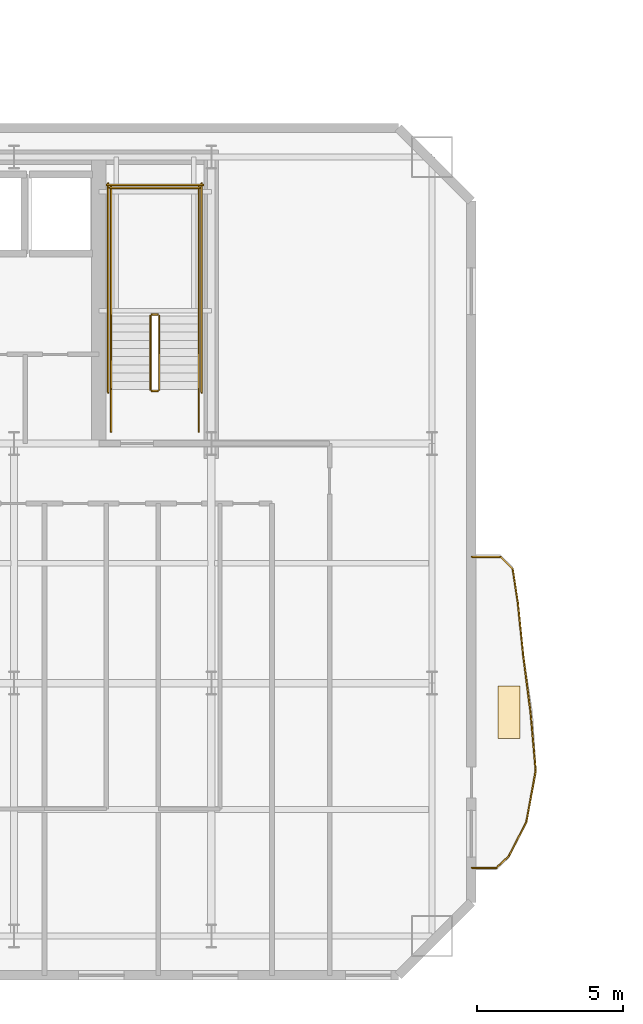
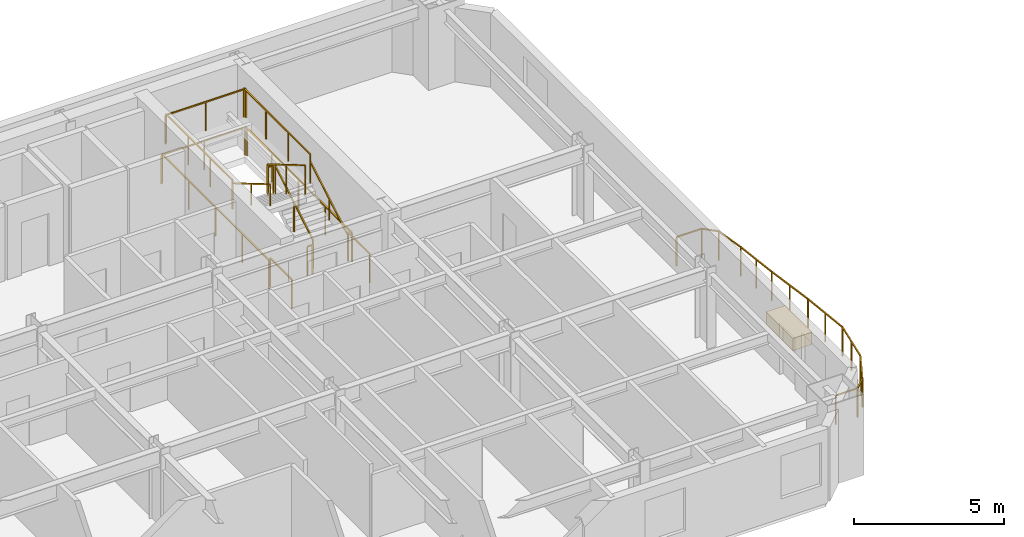
# One storey, part 12 of 14: 24 railings, 1 covering.
"""IFC4 building model written with IfcOpenShell, lengths in metres."""

from ifc_helpers import new_model, si_unit, direction, frame, origin, origin_2d, place, context, subcontext, project, spatial, rectangle, extrude, material, layer, layer_set, type_object, element, save


model = new_model("IFC4")

# Units and contexts
model_context = context("Model", 3, precision=1e-05, world=origin(), true_north=direction((0.0, 1.0)))
body_context = subcontext(model_context, "Body", "Model", "MODEL_VIEW")
ifc_project = project(units=[si_unit("LENGTHUNIT", "METRE"), si_unit("AREAUNIT", "SQUARE_METRE"), si_unit("VOLUMEUNIT", "CUBIC_METRE"), si_unit("PLANEANGLEUNIT", "RADIAN"), si_unit("MASSUNIT", "GRAM", prefix="KILO")], contexts=[model_context])

# Site, building, storey
site_placement = place(None, origin())
site = spatial("IfcSite", under=ifc_project, at=site_placement, CompositionType="ELEMENT")
building_placement = place(site_placement, origin())
building = spatial("IfcBuilding", under=site, at=building_placement, Name="Haevon Station Towers", CompositionType="ELEMENT")
storey_placement = place(building_placement, frame((0.0, 0.0, 119.699951171875)))
storey = spatial("IfcBuildingStorey", under=building, at=storey_placement, Name="L32", CompositionType="ELEMENT", Elevation=119.699951171875)

# Railings
ifc_material_1 = material(Name="Steel S355", Category="steel")
railing_type_1 = type_object("IfcRailingType", Name="GRD-EXT1200", PredefinedType="GUARDRAIL", material=ifc_material_1)
railing_1_placement = place(storey_placement, frame((59.923583984375, 23.677734375, 0.0)))
element("IfcRailing", 1, at=railing_1_placement, inside=storey, type_object=railing_type_1, Name="L32 Perimeter Guardrail 1", PredefinedType="GUARDRAIL", context=body_context, shape_type="SweptSolid", body=[
    extrude(rectangle(XDim=0.048095703125, YDim=0.048095703125, at=origin_2d()), frame((0.0, 0.0, 1.17578125), z_axis=(0.999997283225, 0.002330995998, 0.0), x_axis=(-0.002330995998, 0.999997283225, 0.0)), (0.0, 0.0, 1.0), 0.837890625),
    extrude(rectangle(XDim=0.0419921875, YDim=0.0419921875, at=origin_2d()), origin(), (0.0, 0.0, 1.0), 1.15185546875),
    extrude(rectangle(XDim=0.0419921875, YDim=0.0419921875, at=origin_2d()), frame((0.837890625, 0.001953125, 0.0)), (0.0, 0.0, 1.0), 1.15185546875),
])
railing_2_placement = place(storey_placement, frame((60.761474609375, 23.6796875, 0.0)))
element("IfcRailing", 2, at=railing_2_placement, inside=storey, type_object=railing_type_1, Name="L32 Perimeter Guardrail 2", PredefinedType="GUARDRAIL", context=body_context, shape_type="SweptSolid", body=[
    extrude(rectangle(XDim=0.048095703125, YDim=0.048095703125, at=origin_2d()), frame((0.0, 0.0, 1.17578125), z_axis=(0.721936917326, 0.691958876959, 0.0), x_axis=(-0.691958876959, 0.721936917326, 0.0)), (0.0, 0.0, 1.0), 0.594482421875),
    extrude(rectangle(XDim=0.0419921875, YDim=0.0419921875, at=origin_2d()), origin(), (0.0, 0.0, 1.0), 1.15185546875),
    extrude(rectangle(XDim=0.0419921875, YDim=0.0419921875, at=origin_2d()), frame((0.42919921875, 0.411376953125, 0.0)), (0.0, 0.0, 1.0), 1.15185546875),
])
railing_3_placement = place(storey_placement, frame((61.190673828125, 24.091064453125, 0.0)))
element("IfcRailing", 3, at=railing_3_placement, inside=storey, type_object=railing_type_1, Name="L32 Perimeter Guardrail 3", PredefinedType="GUARDRAIL", context=body_context, shape_type="SweptSolid", body=[
    extrude(rectangle(XDim=0.048095703125, YDim=0.048095703125, at=origin_2d()), frame((0.0, 0.0, 1.17578125), z_axis=(0.452787965093, 0.891618224728, 0.0), x_axis=(-0.891618224728, 0.452787965093, 0.0)), (0.0, 0.0, 1.0), 1.311767578125),
    extrude(rectangle(XDim=0.0419921875, YDim=0.0419921875, at=origin_2d()), origin(), (0.0, 0.0, 1.0), 1.15185546875),
    extrude(rectangle(XDim=0.0419921875, YDim=0.0419921875, at=origin_2d()), frame((0.296875, 0.5849609375, 0.0)), (0.0, 0.0, 1.0), 1.15185546875),
    extrude(rectangle(XDim=0.0419921875, YDim=0.0419921875, at=origin_2d()), frame((0.593994140625, 1.169677734375, 0.0)), (0.0, 0.0, 1.0), 1.15185546875),
])
railing_4_placement = place(storey_placement, frame((61.78466796875, 25.2607421875, 0.0)))
element("IfcRailing", 4, at=railing_4_placement, inside=storey, type_object=railing_type_1, Name="L32 Perimeter Guardrail 4", PredefinedType="GUARDRAIL", context=body_context, shape_type="SweptSolid", body=[
    extrude(rectangle(XDim=0.048095703125, YDim=0.048095703125, at=origin_2d()), frame((0.0, 0.0, 1.17578125), z_axis=(0.179418162839, 0.983772902068, 0.0), x_axis=(-0.983772902068, 0.179418162839, 0.0)), (0.0, 0.0, 1.0), 1.7744140625),
    extrude(rectangle(XDim=0.0419921875, YDim=0.0419921875, at=origin_2d()), origin(), (0.0, 0.0, 1.0), 1.15185546875),
    extrude(rectangle(XDim=0.0419921875, YDim=0.0419921875, at=origin_2d()), frame((0.1591796875, 0.872802734375, 0.0)), (0.0, 0.0, 1.0), 1.15185546875),
    extrude(rectangle(XDim=0.0419921875, YDim=0.0419921875, at=origin_2d()), frame((0.318359375, 1.74560546875, 0.0)), (0.0, 0.0, 1.0), 1.15185546875),
])
railing_5_placement = place(storey_placement, frame((62.10302734375, 27.00634765625, 0.0)))
element("IfcRailing", 5, at=railing_5_placement, inside=storey, type_object=railing_type_1, Name="L32 Perimeter Guardrail 5", PredefinedType="GUARDRAIL", context=body_context, shape_type="SweptSolid", body=[
    extrude(rectangle(XDim=0.048095703125, YDim=0.048095703125, at=origin_2d()), frame((0.0, 0.0, 1.17578125), z_axis=(-0.088918972693, 0.996038862844, 0.0), x_axis=(-0.996038862844, -0.088918972693, 0.0)), (0.0, 0.0, 1.0), 2.00146484375),
    extrude(rectangle(XDim=0.0419921875, YDim=0.0419921875, at=origin_2d()), origin(), (0.0, 0.0, 1.0), 1.15185546875),
    extrude(rectangle(XDim=0.0419921875, YDim=0.0419921875, at=origin_2d()), frame((-0.0888671875, 0.996826171875, 0.0)), (0.0, 0.0, 1.0), 1.15185546875),
    extrude(rectangle(XDim=0.0419921875, YDim=0.0419921875, at=origin_2d()), frame((-0.177978515625, 1.99365234375, 0.0)), (0.0, 0.0, 1.0), 1.15185546875),
])
railing_6_placement = place(storey_placement, frame((61.925048828125, 29.0, 0.0)))
element("IfcRailing", 6, at=railing_6_placement, inside=storey, type_object=railing_type_1, Name="L32 Perimeter Guardrail 6", PredefinedType="GUARDRAIL", context=body_context, shape_type="SweptSolid", body=[
    extrude(rectangle(XDim=0.048095703125, YDim=0.048095703125, at=origin_2d()), frame((0.0, 0.0, 1.17578125), z_axis=(-0.127480675673, 0.991841054469, 0.0), x_axis=(-0.991841054469, -0.127480675673, 0.0)), (0.0, 0.0, 1.0), 2.005126953125),
    extrude(rectangle(XDim=0.0419921875, YDim=0.0419921875, at=origin_2d()), origin(), (0.0, 0.0, 1.0), 1.15185546875),
    extrude(rectangle(XDim=0.0419921875, YDim=0.0419921875, at=origin_2d()), frame((-0.1279296875, 0.994384765625, 0.0)), (0.0, 0.0, 1.0), 1.15185546875),
    extrude(rectangle(XDim=0.0419921875, YDim=0.0419921875, at=origin_2d()), frame((-0.255615234375, 1.98876953125, 0.0)), (0.0, 0.0, 1.0), 1.15185546875),
])
railing_7_placement = place(storey_placement, frame((61.66943359375, 30.98876953125, 0.0)))
element("IfcRailing", 7, at=railing_7_placement, inside=storey, type_object=railing_type_1, Name="L32 Perimeter Guardrail 7", PredefinedType="GUARDRAIL", context=body_context, shape_type="SweptSolid", body=[
    extrude(rectangle(XDim=0.048095703125, YDim=0.048095703125, at=origin_2d()), frame((0.0, 0.0, 1.17578125), z_axis=(-0.100369612016, 0.994950220355, 0.0), x_axis=(-0.994950220355, -0.100369612016, 0.0)), (0.0, 0.0, 1.0), 1.758544921875),
    extrude(rectangle(XDim=0.0419921875, YDim=0.0419921875, at=origin_2d()), origin(), (0.0, 0.0, 1.0), 1.15185546875),
    extrude(rectangle(XDim=0.0419921875, YDim=0.0419921875, at=origin_2d()), frame((-0.08837890625, 0.875, 0.0)), (0.0, 0.0, 1.0), 1.15185546875),
    extrude(rectangle(XDim=0.0419921875, YDim=0.0419921875, at=origin_2d()), frame((-0.176513671875, 1.749755859375, 0.0)), (0.0, 0.0, 1.0), 1.15185546875),
])
railing_8_placement = place(storey_placement, frame((61.492919921875, 32.738525390625, 0.0)))
element("IfcRailing", 8, at=railing_8_placement, inside=storey, type_object=railing_type_1, Name="L32 Perimeter Guardrail 8", PredefinedType="GUARDRAIL", context=body_context, shape_type="SweptSolid", body=[
    extrude(rectangle(XDim=0.048095703125, YDim=0.048095703125, at=origin_2d()), frame((0.0, 0.0, 1.17578125), z_axis=(-0.151545873125, 0.988450225524, 0.0), x_axis=(-0.988450225524, -0.151545873125, 0.0)), (0.0, 0.0, 1.0), 1.18408203125),
    extrude(rectangle(XDim=0.0419921875, YDim=0.0419921875, at=origin_2d()), origin(), (0.0, 0.0, 1.0), 1.15185546875),
    extrude(rectangle(XDim=0.0419921875, YDim=0.0419921875, at=origin_2d()), frame((-0.179443359375, 1.17041015625, 0.0)), (0.0, 0.0, 1.0), 1.15185546875),
])
railing_9_placement = place(storey_placement, frame((61.3134765625, 33.908935546875, 0.0)))
element("IfcRailing", 9, at=railing_9_placement, inside=storey, type_object=railing_type_1, Name="L32 Perimeter Guardrail 9", PredefinedType="GUARDRAIL", context=body_context, shape_type="SweptSolid", body=[
    extrude(rectangle(XDim=0.048095703125, YDim=0.048095703125, at=origin_2d()), frame((0.0, 0.0, 1.17578125), z_axis=(-0.710855721551, 0.703337858456, 0.0), x_axis=(-0.703337858456, -0.710855721551, 0.0)), (0.0, 0.0, 1.0), 0.58447265625),
    extrude(rectangle(XDim=0.0419921875, YDim=0.0419921875, at=origin_2d()), origin(), (0.0, 0.0, 1.0), 1.15185546875),
    extrude(rectangle(XDim=0.0419921875, YDim=0.0419921875, at=origin_2d()), frame((-0.41552734375, 0.4111328125, 0.0)), (0.0, 0.0, 1.0), 1.15185546875),
])
railing_10_placement = place(storey_placement, frame((60.89794921875, 34.320068359375, 0.0)))
element("IfcRailing", 10, at=railing_10_placement, inside=storey, type_object=railing_type_1, Name="L32 Perimeter Guardrail 10", PredefinedType="GUARDRAIL", context=body_context, shape_type="SweptSolid", body=[
    extrude(rectangle(XDim=0.048095703125, YDim=0.048095703125, at=origin_2d()), frame((0.0, 0.0, 1.17578125), z_axis=(-0.999997457331, 0.002255068182, 0.0), x_axis=(-0.002255068182, -0.999997457331, 0.0)), (0.0, 0.0, 1.0), 0.974365234375),
    extrude(rectangle(XDim=0.0419921875, YDim=0.0419921875, at=origin_2d()), origin(), (0.0, 0.0, 1.0), 1.15185546875),
    extrude(rectangle(XDim=0.0419921875, YDim=0.0419921875, at=origin_2d()), frame((-0.974365234375, 0.002197265625, 0.0)), (0.0, 0.0, 1.0), 1.15185546875),
])
railing_type_2 = type_object("IfcRailingType", Name="GRD-STR1200", PredefinedType="GUARDRAIL", material=ifc_material_1)
railing_11_placement = place(storey_placement, frame((49.219970703125, 40.050048828125, 0.1650390625)))
element("IfcRailing", 11, at=railing_11_placement, inside=storey, type_object=railing_type_2, Name="L32 ST2 Stair Guard 1", PredefinedType="GUARDRAIL", context=body_context, shape_type="SweptSolid", body=[
    extrude(rectangle(XDim=0.048095703125, YDim=0.048095703125, at=origin_2d()), frame((0.0, 0.0, 1.17578125), z_axis=(0.0, 0.86152411907, 0.507716645641), x_axis=(-1.0, 0.0, 0.0)), (0.0, 0.0, 1.0), 2.925048828125),
    extrude(rectangle(XDim=0.0419921875, YDim=0.0419921875, at=origin_2d()), origin(), (0.0, 0.0, 1.0), 1.15185546875),
    extrude(rectangle(XDim=0.0419921875, YDim=0.0419921875, at=origin_2d()), frame((0.0, 1.260009765625, 0.74267578125)), (0.0, 0.0, 1.0), 1.15185546875),
    extrude(rectangle(XDim=0.0419921875, YDim=0.0419921875, at=origin_2d()), frame((0.0, 2.52001953125, 1.485107421875)), (0.0, 0.0, 1.0), 1.15185546875),
])
railing_12_placement = place(storey_placement, frame((49.169921875, 42.6201171875, 1.650146484375)))
element("IfcRailing", 12, at=railing_12_placement, inside=storey, type_object=railing_type_2, Name="L32 ST2 Stair Guard 2", PredefinedType="GUARDRAIL", context=body_context, shape_type="SweptSolid", body=[
    extrude(rectangle(XDim=0.048095703125, YDim=0.048095703125, at=origin_2d()), frame((0.0, 0.0, 1.17578125), z_axis=(-1.0, 0.0, 0.0), x_axis=(0.0, -1.0, 0.0)), (0.0, 0.0, 1.0), 0.199951171875),
    extrude(rectangle(XDim=0.0419921875, YDim=0.0419921875, at=origin_2d()), origin(), (0.0, 0.0, 1.0), 1.15185546875),
    extrude(rectangle(XDim=0.0419921875, YDim=0.0419921875, at=origin_2d()), frame((-0.199951171875, 0.0, 0.0)), (0.0, 0.0, 1.0), 1.15185546875),
])
for number, where, name in (
    (13, (50.570068359375, 42.570068359375, 1.650146484375), "L32 ST2 Stair Guard 3"),
    (14, (47.570068359375, 42.570068359375, 1.650146484375), "L32 ST2 Stair Guard 4"),
):
    element("IfcRailing", number, at=place(storey_placement, frame(where)), inside=storey, type_object=railing_type_2, Name=name, PredefinedType="GUARDRAIL", context=body_context, shape_type="SweptSolid", body=[
        extrude(rectangle(XDim=0.048095703125, YDim=0.048095703125, at=origin_2d()), frame((0.0, 0.0, 1.17578125), z_axis=(0.0, 1.0, 0.0), x_axis=(-1.0, 0.0, 0.0)), (0.0, 0.0, 1.0), 4.429931640625),
        extrude(rectangle(XDim=0.0419921875, YDim=0.0419921875, at=origin_2d()), origin(), (0.0, 0.0, 1.0), 1.15185546875),
        extrude(rectangle(XDim=0.0419921875, YDim=0.0419921875, at=origin_2d()), frame((0.0, 1.4765625, 0.0)), (0.0, 0.0, 1.0), 1.15185546875),
        extrude(rectangle(XDim=0.0419921875, YDim=0.0419921875, at=origin_2d()), frame((0.0, 2.953369140625, 0.0)), (0.0, 0.0, 1.0), 1.15185546875),
        extrude(rectangle(XDim=0.0419921875, YDim=0.0419921875, at=origin_2d()), frame((0.0, 4.429931640625, 0.0)), (0.0, 0.0, 1.0), 1.15185546875),
    ])
railing_13_placement = place(storey_placement, frame((50.6201171875, 46.949951171875, 1.650146484375)))
element("IfcRailing", 15, at=railing_13_placement, inside=storey, type_object=railing_type_2, Name="L32 ST2 Stair Guard 5", PredefinedType="GUARDRAIL", context=body_context, shape_type="SweptSolid", body=[
    extrude(rectangle(XDim=0.048095703125, YDim=0.048095703125, at=origin_2d()), frame((0.0, 0.0, 1.17578125), z_axis=(-1.0, 0.0, 0.0), x_axis=(0.0, -1.0, 0.0)), (0.0, 0.0, 1.0), 3.10009765625),
    extrude(rectangle(XDim=0.0419921875, YDim=0.0419921875, at=origin_2d()), origin(), (0.0, 0.0, 1.0), 1.15185546875),
    extrude(rectangle(XDim=0.0419921875, YDim=0.0419921875, at=origin_2d()), frame((-1.550048828125, 0.0, 0.0)), (0.0, 0.0, 1.0), 1.15185546875),
    extrude(rectangle(XDim=0.0419921875, YDim=0.0419921875, at=origin_2d()), frame((-3.10009765625, 0.0, 0.0)), (0.0, 0.0, 1.0), 1.15185546875),
])
railing_14_placement = place(storey_placement, frame((48.919921875, 42.570068359375, 1.81494140625)))
element("IfcRailing", 16, at=railing_14_placement, inside=storey, type_object=railing_type_2, Name="L32 ST2 Stair Guard 6", PredefinedType="GUARDRAIL", context=body_context, shape_type="SweptSolid", body=[
    extrude(rectangle(XDim=0.048095703125, YDim=0.048095703125, at=origin_2d()), frame((0.0, 0.0, 1.17578125), z_axis=(0.0, -0.86152411907, 0.507716645641), x_axis=(1.0, 0.0, 0.0)), (0.0, 0.0, 1.0), 2.925048828125),
    extrude(rectangle(XDim=0.0419921875, YDim=0.0419921875, at=origin_2d()), origin(), (0.0, 0.0, 1.0), 1.15185546875),
    extrude(rectangle(XDim=0.0419921875, YDim=0.0419921875, at=origin_2d()), frame((0.0, -1.260009765625, 0.74267578125)), (0.0, 0.0, 1.0), 1.15185546875),
    extrude(rectangle(XDim=0.0419921875, YDim=0.0419921875, at=origin_2d()), frame((0.0, -2.52001953125, 1.485107421875)), (0.0, 0.0, 1.0), 1.15185546875),
])
railing_15_placement = place(storey_placement, frame((49.169921875, 40.0, 0.0)))
element("IfcRailing", 17, at=railing_15_placement, inside=storey, type_object=railing_type_2, Name="L32 ST2 Stair Guard 7", PredefinedType="GUARDRAIL", context=body_context, shape_type="SweptSolid", body=[
    extrude(rectangle(XDim=0.048095703125, YDim=0.048095703125, at=origin_2d()), frame((0.0, 0.0, 1.17578125), z_axis=(-1.0, 0.0, 0.0), x_axis=(0.0, -1.0, 0.0)), (0.0, 0.0, 1.0), 0.199951171875),
    extrude(rectangle(XDim=0.0419921875, YDim=0.0419921875, at=origin_2d()), origin(), (0.0, 0.0, 1.0), 1.15185546875),
    extrude(rectangle(XDim=0.0419921875, YDim=0.0419921875, at=origin_2d()), frame((-0.199951171875, 0.0, 0.0)), (0.0, 0.0, 1.0), 1.15185546875),
])
for number, where, name in (
    (18, (50.570068359375, 38.60009765625, 0.0), "L32 ST2 Stair Guard 8"),
    (19, (47.570068359375, 38.60009765625, 0.0), "L32 ST2 Stair Guard 9"),
):
    element("IfcRailing", number, at=place(storey_placement, frame(where)), inside=storey, type_object=railing_type_2, Name=name, PredefinedType="GUARDRAIL", context=body_context, shape_type="SweptSolid", body=[
        extrude(rectangle(XDim=0.048095703125, YDim=0.048095703125, at=origin_2d()), frame((0.0, 0.0, 1.17578125), z_axis=(0.0, 1.0, 0.0), x_axis=(-1.0, 0.0, 0.0)), (0.0, 0.0, 1.0), 1.449951171875),
        extrude(rectangle(XDim=0.0419921875, YDim=0.0419921875, at=origin_2d()), origin(), (0.0, 0.0, 1.0), 1.15185546875),
        extrude(rectangle(XDim=0.0419921875, YDim=0.0419921875, at=origin_2d()), frame((0.0, 1.449951171875, 0.0)), (0.0, 0.0, 1.0), 1.15185546875),
    ])
for number, where, name in (
    (20, (50.669921875, 39.949951171875, 0.0), "L32 ST2 Stair Guard 10"),
    (21, (47.469970703125, 39.949951171875, 0.0), "L32 ST2 Stair Guard 11"),
):
    element("IfcRailing", number, at=place(storey_placement, frame(where)), inside=storey, type_object=railing_type_2, Name=name, PredefinedType="GUARDRAIL", context=body_context, shape_type="SweptSolid", body=[
        extrude(rectangle(XDim=0.048095703125, YDim=0.048095703125, at=origin_2d()), frame((0.0, 0.0, 1.17578125), z_axis=(0.0, 1.0, 0.0), x_axis=(-1.0, 0.0, 0.0)), (0.0, 0.0, 1.0), 7.150146484375),
        extrude(rectangle(XDim=0.0419921875, YDim=0.0419921875, at=origin_2d()), origin(), (0.0, 0.0, 1.0), 1.15185546875),
        extrude(rectangle(XDim=0.0419921875, YDim=0.0419921875, at=origin_2d()), frame((0.0, 1.78759765625, 0.0)), (0.0, 0.0, 1.0), 1.15185546875),
        extrude(rectangle(XDim=0.0419921875, YDim=0.0419921875, at=origin_2d()), frame((0.0, 3.5751953125, 0.0)), (0.0, 0.0, 1.0), 1.15185546875),
        extrude(rectangle(XDim=0.0419921875, YDim=0.0419921875, at=origin_2d()), frame((0.0, 5.362548828125, 0.0)), (0.0, 0.0, 1.0), 1.15185546875),
        extrude(rectangle(XDim=0.0419921875, YDim=0.0419921875, at=origin_2d()), frame((0.0, 7.150146484375, 0.0)), (0.0, 0.0, 1.0), 1.15185546875),
    ])
railing_16_placement = place(storey_placement, frame((50.719970703125, 47.050048828125, 0.0)))
element("IfcRailing", 22, at=railing_16_placement, inside=storey, type_object=railing_type_2, Name="L32 ST2 Stair Guard 12", PredefinedType="GUARDRAIL", context=body_context, shape_type="SweptSolid", body=[
    extrude(rectangle(XDim=0.048095703125, YDim=0.048095703125, at=origin_2d()), frame((0.0, 0.0, 1.17578125), z_axis=(-1.0, 0.0, 0.0), x_axis=(0.0, -1.0, 0.0)), (0.0, 0.0, 1.0), 3.300048828125),
    extrude(rectangle(XDim=0.0419921875, YDim=0.0419921875, at=origin_2d()), origin(), (0.0, 0.0, 1.0), 1.15185546875),
    extrude(rectangle(XDim=0.0419921875, YDim=0.0419921875, at=origin_2d()), frame((-1.64990234375, 0.0, 0.0)), (0.0, 0.0, 1.0), 1.15185546875),
    extrude(rectangle(XDim=0.0419921875, YDim=0.0419921875, at=origin_2d()), frame((-3.300048828125, 0.0, 0.0)), (0.0, 0.0, 1.0), 1.15185546875),
])
railing_type_3 = type_object("IfcRailingType", Name="HND-STR900", PredefinedType="HANDRAIL", material=ifc_material_1)
railing_17_placement = place(storey_placement, frame((50.570068359375, 40.050048828125, 0.1650390625)))
element("IfcRailing", 23, at=railing_17_placement, inside=storey, type_object=railing_type_3, Name="L32 ST2 Stair Handrail 1", PredefinedType="HANDRAIL", context=body_context, shape_type="SweptSolid", body=[
    extrude(rectangle(XDim=0.048095703125, YDim=0.048095703125, at=origin_2d()), frame((0.0, 0.0, 0.8759765625), z_axis=(0.0, 0.86152411907, 0.507716645641), x_axis=(-1.0, 0.0, 0.0)), (0.0, 0.0, 1.0), 2.925048828125),
    extrude(rectangle(XDim=0.0419921875, YDim=0.0419921875, at=origin_2d()), origin(), (0.0, 0.0, 1.0), 0.851806640625),
    extrude(rectangle(XDim=0.0419921875, YDim=0.0419921875, at=origin_2d()), frame((0.0, 1.260009765625, 0.74267578125)), (0.0, 0.0, 1.0), 0.851806640625),
    extrude(rectangle(XDim=0.0419921875, YDim=0.0419921875, at=origin_2d()), frame((0.0, 2.52001953125, 1.485107421875)), (0.0, 0.0, 1.0), 0.851806640625),
])
railing_18_placement = place(storey_placement, frame((47.570068359375, 42.570068359375, 1.81494140625)))
element("IfcRailing", 24, at=railing_18_placement, inside=storey, type_object=railing_type_3, Name="L32 ST2 Stair Handrail 2", PredefinedType="HANDRAIL", context=body_context, shape_type="SweptSolid", body=[
    extrude(rectangle(XDim=0.048095703125, YDim=0.048095703125, at=origin_2d()), frame((0.0, 0.0, 0.8759765625), z_axis=(0.0, -0.86152411907, 0.507716645641), x_axis=(1.0, 0.0, 0.0)), (0.0, 0.0, 1.0), 2.925048828125),
    extrude(rectangle(XDim=0.0419921875, YDim=0.0419921875, at=origin_2d()), origin(), (0.0, 0.0, 1.0), 0.851806640625),
    extrude(rectangle(XDim=0.0419921875, YDim=0.0419921875, at=origin_2d()), frame((0.0, -1.260009765625, 0.74267578125)), (0.0, 0.0, 1.0), 0.851806640625),
    extrude(rectangle(XDim=0.0419921875, YDim=0.0419921875, at=origin_2d()), frame((0.0, -2.52001953125, 1.485107421875)), (0.0, 0.0, 1.0), 0.851806640625),
])

# Covering
ifc_material_2 = material(Name="Architectural planter GRC", Category="concrete")
ifc_layer = layer(ifc_material_2, 0.550048828125)
ifc_layer_set = layer_set([ifc_layer], Name="Architectural planter GRC")
covering_type = type_object("IfcCoveringType", Name="PLN-GRC550", PredefinedType="MOLDING", material=ifc_layer_set)
covering_placement = place(storey_placement, frame((61.190185546875, 29.0, 0.0), z_axis=(0.0, 0.0, 1.0), x_axis=(1.0, 0.0, 0.0)))
element("IfcCovering", 25, at=covering_placement, inside=storey, type_object=covering_type, Name="Tower 1 L32 Scalloped Balcony PLANTER", PredefinedType="MOLDING", context=body_context, shape_type="SweptSolid", body=[
    extrude(rectangle(XDim=0.75, YDim=1.800048828125, at=origin_2d()), origin(), (0.0, 0.0, 1.0), 0.5),
])

save(model, "model.ifc")
